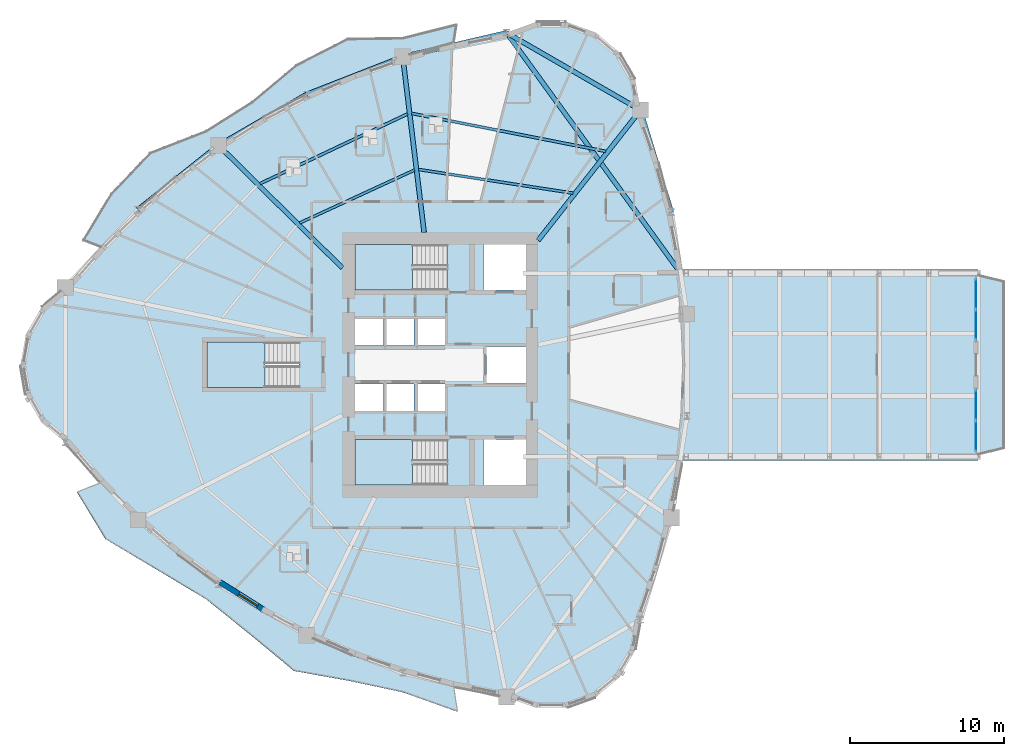
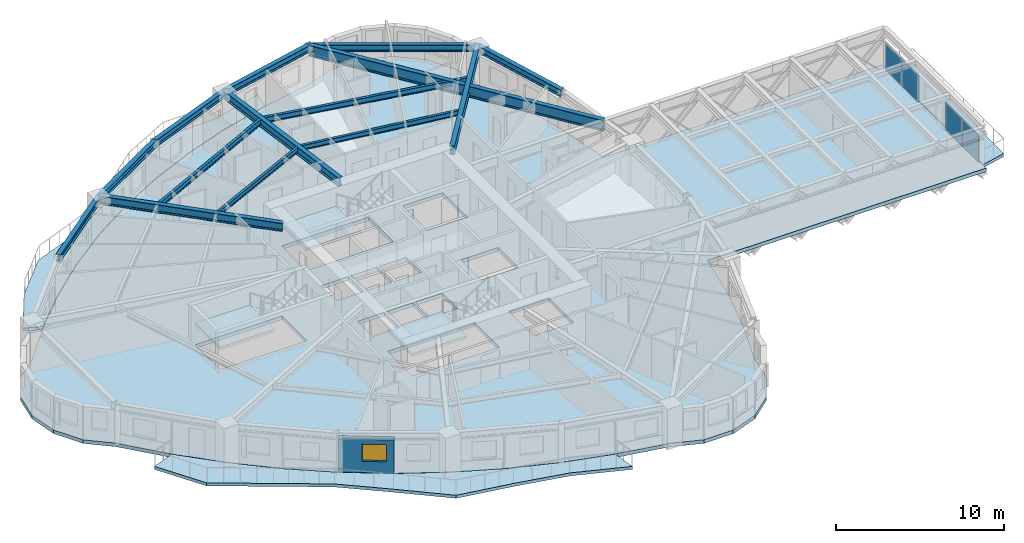
# One storey, part 3 of 16: 14 beams, 7 slabs, 4 plates, 1 wall, 1 window, 1 opening, 5 elements without a shape of their own.
"""IFC4 building model written with IfcOpenShell, lengths in metres."""

from ifc_helpers import new_model, si_unit, direction, frame, frame_2d, origin, origin_2d, place, context, subcontext, project, spatial, polyline, rectangle, i_section, outline, extrude, source, transform, mapped, material, layer, layer_set, material_profile, profile_set, type_object, element, fill, aggregate, save


model = new_model("IFC4")

# Units and contexts
model_context = context("Model", 3, precision=1e-05, world=origin(), true_north=direction((0.0, 1.0)))
body_context = subcontext(model_context, "Body", "Model", "MODEL_VIEW")
ifc_project = project(units=[si_unit("LENGTHUNIT", "METRE"), si_unit("AREAUNIT", "SQUARE_METRE"), si_unit("VOLUMEUNIT", "CUBIC_METRE"), si_unit("PLANEANGLEUNIT", "RADIAN"), si_unit("MASSUNIT", "GRAM", prefix="KILO")], contexts=[model_context])

# Site, building, storey
site_placement = place(None, origin())
site = spatial("IfcSite", under=ifc_project, at=site_placement, CompositionType="ELEMENT")
building_placement = place(site_placement, origin())
building = spatial("IfcBuilding", under=site, at=building_placement, Name="Qafzar Sky-Pleat Residences", CompositionType="ELEMENT")
storey_placement = place(building_placement, frame((0.0, 0.0, 33.39990234375)))
storey = spatial("IfcBuildingStorey", under=building, at=storey_placement, Name="L09", CompositionType="ELEMENT", Elevation=33.39990234375)

# Beams
ifc_material_1 = material(Name="Steel S355", Category="steel")
ifc_material_profile_1 = material_profile(ifc_material_1, i_section(OverallWidth=0.300048828125, OverallDepth=0.5, WebThickness=0.014404296875, FlangeThickness=0.028076171875, FilletRadius=0.027099609375, at=origin_2d()), Name="HEB 500")
ifc_profile_set_1 = profile_set([ifc_material_profile_1], Name="Steel S355")
beam_type_1 = type_object("IfcBeamType", Name="BM-SPAN-HEB500", PredefinedType="SPANDREL", material=ifc_profile_set_1)
shared_shape_1 = source(origin(), body_context, "Body", "SweptSolid", [
    extrude(i_section(OverallWidth=0.300048828125, OverallDepth=0.5, WebThickness=0.014404296875, FlangeThickness=0.028076171875, FilletRadius=0.027099609375, at=origin_2d()), origin(), (0.0, 0.0, 1.0), 10.0458984375),
])
beam_1_placement = place(storey_placement, frame((43.344970703125, 42.532470703125, 2.68798828125), z_axis=(-0.866024107753, 0.500002244785, 0.0), x_axis=(-0.500002244785, -0.866024107753, 0.0)))
element("IfcBeam", 1, at=beam_1_placement, inside=storey, type_object=beam_type_1, Name="L09 Perimeter Spandrel Beam 13", PredefinedType="SPANDREL", context=body_context, shape_type="MappedRepresentation", body=[
    mapped(shared_shape_1, transform((0.0, 0.0, 0.0), x_axis=(1.0, 0.0, 0.0), y_axis=(0.0, 1.0, 0.0), z_axis=(0.0, 0.0, 1.0), scale=1.0)),
])
shared_shape_2 = source(origin(), body_context, "Body", "SweptSolid", [
    extrude(i_section(OverallWidth=0.300048828125, OverallDepth=0.5, WebThickness=0.014404296875, FlangeThickness=0.028076171875, FilletRadius=0.027099609375, at=origin_2d()), origin(), (0.0, 0.0, 1.0), 6.689208984375),
])
beam_2_placement = place(storey_placement, frame((15.956298828125, 40.247314453125, 2.68798828125), z_axis=(-0.781064615855, -0.624450210872, 0.0), x_axis=(0.624450210872, -0.781064615855, 0.0)))
element("IfcBeam", 2, at=beam_2_placement, inside=storey, type_object=beam_type_1, Name="L09 Perimeter Spandrel Beam 17", PredefinedType="SPANDREL", context=body_context, shape_type="MappedRepresentation", body=[
    mapped(shared_shape_2, transform((0.0, 0.0, 0.0), x_axis=(1.0, 0.0, 0.0), y_axis=(0.0, 1.0, 0.0), z_axis=(0.0, 0.0, 1.0), scale=1.0)),
])
shared_shape_3 = source(origin(), body_context, "Body", "SweptSolid", [
    extrude(i_section(OverallWidth=0.300048828125, OverallDepth=0.5, WebThickness=0.014404296875, FlangeThickness=0.028076171875, FilletRadius=0.027099609375, at=origin_2d()), origin(), (0.0, 0.0, 1.0), 6.61279296875),
])
beam_3_placement = place(storey_placement, frame((21.68310546875, 43.553955078125, 2.68798828125), z_axis=(-0.866007902399, -0.500030312064, 0.0), x_axis=(0.500030312064, -0.866007902399, 0.0)))
element("IfcBeam", 3, at=beam_3_placement, inside=storey, type_object=beam_type_1, Name="L09 Perimeter Spandrel Beam 16", PredefinedType="SPANDREL", context=body_context, shape_type="MappedRepresentation", body=[
    mapped(shared_shape_3, transform((0.0, 0.0, 0.0), x_axis=(1.0, 0.0, 0.0), y_axis=(0.0, 1.0, 0.0), z_axis=(0.0, 0.0, 1.0), scale=1.0)),
])
shared_shape_4 = source(origin(), body_context, "Body", "SweptSolid", [
    extrude(i_section(OverallWidth=0.300048828125, OverallDepth=0.5, WebThickness=0.014404296875, FlangeThickness=0.028076171875, FilletRadius=0.027099609375, at=origin_2d()), origin(), (0.0, 0.0, 1.0), 6.68896484375),
])
beam_4_placement = place(storey_placement, frame((27.912841796875, 45.989990234375, 2.68798828125), z_axis=(-0.931328375536, -0.364180527927, 0.0), x_axis=(0.364180527927, -0.931328375536, 0.0)))
element("IfcBeam", 4, at=beam_4_placement, inside=storey, type_object=beam_type_1, Name="L09 Perimeter Spandrel Beam 15", PredefinedType="SPANDREL", context=body_context, shape_type="MappedRepresentation", body=[
    mapped(shared_shape_4, transform((0.0, 0.0, 0.0), x_axis=(1.0, 0.0, 0.0), y_axis=(0.0, 1.0, 0.0), z_axis=(0.0, 0.0, 1.0), scale=1.0)),
])
shared_shape_5 = source(origin(), body_context, "Body", "SweptSolid", [
    extrude(i_section(OverallWidth=0.300048828125, OverallDepth=0.5, WebThickness=0.014404296875, FlangeThickness=0.028076171875, FilletRadius=0.027099609375, at=origin_2d()), origin(), (0.0, 0.0, 1.0), 6.911865234375),
])
for number, where, z_axis, x_axis, name in (
    (5, (45.355224609375, 35.91943359375, 2.68798828125), (-0.290842539179, 0.956770932566, 0.0), (-0.956770932566, -0.290842539179, 0.0), "L09 Perimeter Spandrel Beam 12"),
    (6, (34.64501953125, 47.555419921875, 2.68798828125), (-0.97401418861, -0.226486998273, 0.0), (0.226486998273, -0.97401418861, 0.0), "L09 Perimeter Spandrel Beam 14"),
):
    element("IfcBeam", number, at=place(storey_placement, frame(where, z_axis=z_axis, x_axis=x_axis)), inside=storey, type_object=beam_type_1, Name=name, PredefinedType="SPANDREL", context=body_context, shape_type="MappedRepresentation", body=[
        mapped(shared_shape_5, transform((0.0, 0.0, 0.0), x_axis=(1.0, 0.0, 0.0), y_axis=(0.0, 1.0, 0.0), z_axis=(0.0, 0.0, 1.0), scale=1.0)),
    ])
ifc_material_profile_2 = material_profile(ifc_material_1, i_section(OverallWidth=0.300048828125, OverallDepth=0.60009765625, WebThickness=0.015380859375, FlangeThickness=0.030029296875, FilletRadius=0.027099609375, at=origin_2d()), Name="HEB 600")
ifc_profile_set_2 = profile_set([ifc_material_profile_2], Name="Steel S355")
beam_type_2 = type_object("IfcBeamType", Name="BM-GIRD-HEB600", PredefinedType="BEAM", material=ifc_profile_set_2)
shared_shape_6 = source(origin(), body_context, "Body", "SweptSolid", [
    extrude(i_section(OverallWidth=0.300048828125, OverallDepth=0.60009765625, WebThickness=0.015380859375, FlangeThickness=0.030029296875, FilletRadius=0.027099609375, at=origin_2d()), origin(), (0.0, 0.0, 1.0), 10.7529296875),
])
beam_5_placement = place(storey_placement, frame((43.344970703125, 42.532470703125, 2.63818359375), z_axis=(-0.617976963314, -0.786196205036, 0.0), x_axis=(0.786196205036, -0.617976963314, 0.0)))
element("IfcBeam", 7, at=beam_5_placement, inside=storey, type_object=beam_type_2, Name="L09 Radial Floor Girder 13", PredefinedType="BEAM", context=body_context, shape_type="MappedRepresentation", body=[
    mapped(shared_shape_6, transform((0.0, 0.0, 0.0), x_axis=(1.0, 0.0, 0.0), y_axis=(0.0, 1.0, 0.0), z_axis=(0.0, 0.0, 1.0), scale=1.0)),
])
shared_shape_7 = source(origin(), body_context, "Body", "SweptSolid", [
    extrude(i_section(OverallWidth=0.300048828125, OverallDepth=0.60009765625, WebThickness=0.015380859375, FlangeThickness=0.030029296875, FilletRadius=0.027099609375, at=origin_2d()), origin(), (0.0, 0.0, 1.0), 11.47412109375),
])
beam_6_placement = place(storey_placement, frame((27.912841796875, 45.989990234375, 2.63818359375), z_axis=(0.121025228115, -0.992649431652, 0.0), x_axis=(0.992649431652, 0.121025228115, 0.0)))
element("IfcBeam", 8, at=beam_6_placement, inside=storey, type_object=beam_type_2, Name="L09 Radial Floor Girder 15", PredefinedType="BEAM", context=body_context, shape_type="MappedRepresentation", body=[
    mapped(shared_shape_7, transform((0.0, 0.0, 0.0), x_axis=(1.0, 0.0, 0.0), y_axis=(0.0, 1.0, 0.0), z_axis=(0.0, 0.0, 1.0), scale=1.0)),
])
shared_shape_8 = source(origin(), body_context, "Body", "SweptSolid", [
    extrude(i_section(OverallWidth=0.300048828125, OverallDepth=0.60009765625, WebThickness=0.015380859375, FlangeThickness=0.030029296875, FilletRadius=0.027099609375, at=origin_2d()), origin(), (0.0, 0.0, 1.0), 11.31787109375),
])
beam_7_placement = place(storey_placement, frame((15.956298828125, 40.247314453125, 2.63818359375), z_axis=(0.710710748184, -0.703484351224, 0.0), x_axis=(0.703484351224, 0.710710748184, 0.0)))
element("IfcBeam", 9, at=beam_7_placement, inside=storey, type_object=beam_type_2, Name="L09 Radial Floor Girder 17", PredefinedType="BEAM", context=body_context, shape_type="MappedRepresentation", body=[
    mapped(shared_shape_8, transform((0.0, 0.0, 0.0), x_axis=(1.0, 0.0, 0.0), y_axis=(0.0, 1.0, 0.0), z_axis=(0.0, 0.0, 1.0), scale=1.0)),
])
ifc_material_profile_3 = material_profile(ifc_material_1, i_section(OverallWidth=0.179931640625, OverallDepth=0.39990234375, WebThickness=0.008544921875, FlangeThickness=0.013427734375, FilletRadius=0.02099609375, at=origin_2d()), Name="IPE 400")
ifc_profile_set_3 = profile_set([ifc_material_profile_3], Name="Steel S355")
beam_type_3 = type_object("IfcBeamType", Name="BM-JST-IPE400", PredefinedType="JOIST", material=ifc_profile_set_3)
shared_shape_9 = source(origin(), body_context, "Body", "SweptSolid", [
    extrude(i_section(OverallWidth=0.179931640625, OverallDepth=0.39990234375, WebThickness=0.008544921875, FlangeThickness=0.013427734375, FilletRadius=0.02099609375, at=origin_2d()), origin(), (0.0, 0.0, 1.0), 12.83544921875),
])
beam_8_placement = place(storey_placement, frame((41.086181640625, 39.85302734375, 2.738037109375), z_axis=(-0.98136997389, 0.192127495034, 0.0), x_axis=(-0.192127495034, -0.98136997389, 0.0)))
element("IfcBeam", 10, at=beam_8_placement, inside=storey, type_object=beam_type_3, Name="L09 Outer Secondary Floor Joist 7", PredefinedType="JOIST", context=body_context, shape_type="MappedRepresentation", body=[
    mapped(shared_shape_9, transform((0.0, 0.0, 0.0), x_axis=(1.0, 0.0, 0.0), y_axis=(0.0, 1.0, 0.0), z_axis=(0.0, 0.0, 1.0), scale=1.0)),
])
shared_shape_10 = source(origin(), body_context, "Body", "SweptSolid", [
    extrude(i_section(OverallWidth=0.179931640625, OverallDepth=0.39990234375, WebThickness=0.008544921875, FlangeThickness=0.013427734375, FilletRadius=0.02099609375, at=origin_2d()), origin(), (0.0, 0.0, 1.0), 10.599609375),
])
beam_9_placement = place(storey_placement, frame((28.235107421875, 42.287353515625, 2.738037109375), z_axis=(-0.904072428316, -0.427379274602, 0.0), x_axis=(0.427379274602, -0.904072428316, 0.0)))
element("IfcBeam", 11, at=beam_9_placement, inside=storey, type_object=beam_type_3, Name="L09 Outer Secondary Floor Joist 8", PredefinedType="JOIST", context=body_context, shape_type="MappedRepresentation", body=[
    mapped(shared_shape_10, transform((0.0, 0.0, 0.0), x_axis=(1.0, 0.0, 0.0), y_axis=(0.0, 1.0, 0.0), z_axis=(0.0, 0.0, 1.0), scale=1.0)),
])
ifc_material_profile_4 = material_profile(ifc_material_1, i_section(OverallWidth=0.169921875, OverallDepth=0.360107421875, WebThickness=0.008056640625, FlangeThickness=0.0126953125, FilletRadius=0.01806640625, at=origin_2d()), Name="IPE 360")
ifc_profile_set_4 = profile_set([ifc_material_profile_4], Name="Steel S355")
beam_type_4 = type_object("IfcBeamType", Name="BM-JST-IPE360", PredefinedType="JOIST", material=ifc_profile_set_4)
shared_shape_11 = source(origin(), body_context, "Body", "SweptSolid", [
    extrude(i_section(OverallWidth=0.169921875, OverallDepth=0.360107421875, WebThickness=0.008056640625, FlangeThickness=0.0126953125, FilletRadius=0.01806640625, at=origin_2d()), origin(), (0.0, 0.0, 1.0), 10.140869140625),
])
beam_10_placement = place(storey_placement, frame((38.958740234375, 37.142333984375, 2.758056640625), z_axis=(-0.988438399373, 0.15162298851, 0.0), x_axis=(-0.15162298851, -0.988438399373, 0.0)))
element("IfcBeam", 12, at=beam_10_placement, inside=storey, type_object=beam_type_4, Name="L09 Inner Secondary Floor Joist 7", PredefinedType="JOIST", context=body_context, shape_type="MappedRepresentation", body=[
    mapped(shared_shape_11, transform((0.0, 0.0, 0.0), x_axis=(1.0, 0.0, 0.0), y_axis=(0.0, 1.0, 0.0), z_axis=(0.0, 0.0, 1.0), scale=1.0)),
])
shared_shape_12 = source(origin(), body_context, "Body", "SweptSolid", [
    extrude(i_section(OverallWidth=0.169921875, OverallDepth=0.360107421875, WebThickness=0.008056640625, FlangeThickness=0.0126953125, FilletRadius=0.01806640625, at=origin_2d()), origin(), (0.0, 0.0, 1.0), 8.2060546875),
])
beam_11_placement = place(storey_placement, frame((28.678955078125, 38.643798828125, 2.758056640625), z_axis=(-0.908140422144, -0.418665706343, 0.0), x_axis=(0.418665706343, -0.908140422144, 0.0)))
element("IfcBeam", 13, at=beam_11_placement, inside=storey, type_object=beam_type_4, Name="L09 Inner Secondary Floor Joist 8", PredefinedType="JOIST", context=body_context, shape_type="MappedRepresentation", body=[
    mapped(shared_shape_12, transform((0.0, 0.0, 0.0), x_axis=(1.0, 0.0, 0.0), y_axis=(0.0, 1.0, 0.0), z_axis=(0.0, 0.0, 1.0), scale=1.0)),
])
ifc_material_2 = material(Name="Steel S460", Category="steel")
ifc_material_profile_5 = material_profile(ifc_material_2, i_section(OverallWidth=0.300048828125, OverallDepth=0.800048828125, WebThickness=0.017578125, FlangeThickness=0.032958984375, FilletRadius=0.030029296875, at=origin_2d()), Name="HEB 800")
ifc_profile_set_5 = profile_set([ifc_material_profile_5], Name="Steel S460")
beam_type_5 = type_object("IfcBeamType", Name="BM-CHORD-HEB800", PredefinedType="BEAM", material=ifc_profile_set_5)
shared_shape_13 = source(origin(), body_context, "Body", "SweptSolid", [
    extrude(i_section(OverallWidth=0.300048828125, OverallDepth=0.800048828125, WebThickness=0.017578125, FlangeThickness=0.032958984375, FilletRadius=0.030029296875, at=origin_2d()), origin(), (0.0, 0.0, 1.0), 19.27001953125),
])
beam_12_placement = place(storey_placement, frame((34.64501953125, 47.555419921875, 2.5380859375), z_axis=(0.586660264458, -0.809833152017, 0.0), x_axis=(0.809833152017, 0.586660264458, 0.0)))
element("IfcBeam", 14, at=beam_12_placement, inside=storey, type_object=beam_type_5, Name="L09 SB-1 Wing-Belt Top Chord L", PredefinedType="BEAM", context=body_context, shape_type="MappedRepresentation", body=[
    mapped(shared_shape_13, transform((0.0, 0.0, 0.0), x_axis=(1.0, 0.0, 0.0), y_axis=(0.0, 1.0, 0.0), z_axis=(0.0, 0.0, 1.0), scale=1.0)),
])

# Slabs
ifc_material_3 = material(Name="Concrete C40/50", Category="concrete")
ifc_layer_1 = layer(ifc_material_3, 0.219970703125)
ifc_layer_set_1 = layer_set([ifc_layer_1], Name="Concrete C40/50")
slab_type_1 = type_object("IfcSlabType", Name="SLAB-BAL-220", PredefinedType="USERDEFINED", material=ifc_layer_set_1)
slab_1_placement = place(storey_placement, frame((0.0, 0.0, -0.219970703125)))
element("IfcSlab", 15, at=slab_1_placement, inside=storey, type_object=slab_type_1, Name="L09 Pleated Stone Balcony 1", ObjectType="BALCONY", PredefinedType="USERDEFINED", context=body_context, shape_type="SweptSolid", body=[
    extrude(outline(polyline([(27.91259765625, 46.001953125), (24.733154296875, 44.892578125), (21.67919921875, 43.565185546875), (18.7509765625, 42.02001953125), (15.948486328125, 40.256591796875), (13.27197265625, 38.275390625), (10.721435546875, 36.076416015625), (8.296875, 33.659912109375), (7.14306640625, 34.1083984375), (8.9609375, 37.10302734375), (11.4814453125, 39.767578125), (15.149169921875, 41.201904296875), (18.1318359375, 43.092041015625), (20.989013671875, 45.48291015625), (24.3359375, 47.189208984375), (27.9072265625, 47.239990234375), (31.406494140625, 48.11669921875), (31.218017578125, 46.893310546875), (27.91259765625, 46.001953125)])), origin(), (0.0, 0.0, 1.0), 0.219970703125),
])
slab_2_placement = place(storey_placement, frame((0.0, 0.0, -0.219970703125)))
element("IfcSlab", 16, at=slab_2_placement, inside=storey, type_object=slab_type_1, Name="L09 Pleated Stone Balcony 2", ObjectType="BALCONY", PredefinedType="USERDEFINED", context=body_context, shape_type="SweptSolid", body=[
    extrude(outline(polyline([(10.721435546875, 15.923583984375), (13.27197265625, 13.724609375), (15.948486328125, 11.743408203125), (18.7509765625, 9.97998046875), (21.67919921875, 8.434814453125), (24.733154296875, 7.107421875), (27.91259765625, 5.998046875), (31.218017578125, 5.106689453125), (31.46728515625, 3.48779296875), (27.9072265625, 4.760009765625), (24.4541015625, 5.493408203125), (20.853515625, 6.140869140625), (17.931884765625, 8.5615234375), (15.149169921875, 10.798095703125), (12.013671875, 12.67578125), (8.615478515625, 14.6953125), (6.770263671875, 17.74658203125), (8.296875, 18.340087890625), (10.721435546875, 15.923583984375)])), origin(), (0.0, 0.0, 1.0), 0.219970703125),
])
ifc_layer_2 = layer(ifc_material_3, 0.22998046875)
ifc_layer_set_2 = layer_set([ifc_layer_2], Name="Concrete C40/50")
slab_type_2 = type_object("IfcSlabType", Name="SLAB-BAL-230", PredefinedType="USERDEFINED", material=ifc_layer_set_2)
slab_3_placement = place(storey_placement, frame((0.0, 0.0, -0.22998046875)))
element("IfcSlab", 17, at=slab_3_placement, inside=storey, type_object=slab_type_2, Name="L09 SB-1 Tip Observation Balcony", ObjectType="BALCONY", PredefinedType="USERDEFINED", context=body_context, shape_type="SweptSolid", body=[
    extrude(outline(polyline([(65.26953125, 20.199951171875), (66.904541015625, 20.60009765625), (66.904541015625, 31.39990234375), (65.26953125, 31.800048828125), (65.26953125, 20.199951171875)])), origin(), (0.0, 0.0, 1.0), 0.22998046875),
])

# Stair, slab
stair_type = type_object("IfcStairType", Name="STAIR-H320", PredefinedType="HALF_TURN_STAIR", material=ifc_material_3)
stair_1_placement = place(storey_placement, origin())
stair_1 = element("IfcStair", 18, at=stair_1_placement, inside=storey, type_object=stair_type, Name="L09 Protected Exit Stair ST1", PredefinedType="HALF_TURN_STAIR")
ifc_layer_3 = layer(ifc_material_3, 0.199951171875)
ifc_layer_set_3 = layer_set([ifc_layer_3], Name="Concrete C40/50")
slab_type_3 = type_object("IfcSlabType", Name="SLAB-LANDING-200", PredefinedType="LANDING", material=ifc_layer_set_3)
slab_4_placement = place(storey_placement, frame((0.0, 0.0, 1.400146484375)))
slab_4 = element("IfcSlab", 19, at=slab_4_placement, type_object=slab_type_3, Name="ST1 landing 1", PredefinedType="LANDING", context=body_context, shape_type="SweptSolid", body=[
    extrude(outline(polyline([(28.56005859375, 21.14990234375), (24.800048828125, 21.14990234375), (24.800048828125, 18.199951171875), (28.56005859375, 18.199951171875), (28.56005859375, 21.14990234375)])), origin(), (0.0, 0.0, 1.0), 0.199951171875),
])
aggregate(stair_1, [slab_4])

stair_2_placement = place(storey_placement, origin())
stair_2 = element("IfcStair", 20, at=stair_2_placement, inside=storey, type_object=stair_type, Name="L09 Protected Exit Stair ST2", PredefinedType="HALF_TURN_STAIR")
slab_5_placement = place(storey_placement, frame((0.0, 0.0, 1.400146484375)))
slab_5 = element("IfcSlab", 21, at=slab_5_placement, type_object=slab_type_3, Name="ST2 landing 1", PredefinedType="LANDING", context=body_context, shape_type="SweptSolid", body=[
    extrude(outline(polyline([(28.56005859375, 33.800048828125), (24.800048828125, 33.800048828125), (24.800048828125, 30.85009765625), (28.56005859375, 30.85009765625), (28.56005859375, 33.800048828125)])), origin(), (0.0, 0.0, 1.0), 0.199951171875),
])
aggregate(stair_2, [slab_5])

stair_3_placement = place(storey_placement, origin())
stair_3 = element("IfcStair", 22, at=stair_3_placement, inside=storey, type_object=stair_type, Name="L09 Protected Exit Stair ST3", PredefinedType="HALF_TURN_STAIR")
slab_6_placement = place(storey_placement, frame((0.0, 0.0, 1.400146484375)))
slab_6 = element("IfcSlab", 23, at=slab_6_placement, type_object=slab_type_3, Name="ST3 landing 1", PredefinedType="LANDING", context=body_context, shape_type="SweptSolid", body=[
    extrude(outline(polyline([(18.9599609375, 27.47509765625), (15.199951171875, 27.47509765625), (15.199951171875, 24.52490234375), (18.9599609375, 24.52490234375), (18.9599609375, 27.47509765625)])), origin(), (0.0, 0.0, 1.0), 0.199951171875),
])
aggregate(stair_3, [slab_6])

# Slab
ifc_layer_4 = layer(ifc_material_3, 0.264892578125)
ifc_layer_set_4 = layer_set([ifc_layer_4], Name="Concrete C40/50")
slab_type_4 = type_object("IfcSlabType", Name="SLAB-SB-265", PredefinedType="FLOOR", material=ifc_layer_set_4)
slab_7_placement = place(storey_placement, frame((0.0, 0.0, -0.264892578125)))
element("IfcSlab", 24, at=slab_7_placement, inside=storey, type_object=slab_type_4, Name="L09 Structural Floor Slab", PredefinedType="FLOOR", context=body_context, shape_type="SweptSolid", body=[
    extrude(outline(polyline([(45.983642578125, 19.386962890625), (45.355224609375, 16.08056640625), (44.475830078125, 12.774169921875), (43.344970703125, 9.467529296875), (42.9951171875, 7.48388671875), (41.988037109375, 5.739501953125), (40.445068359375, 4.444580078125), (38.55224609375, 3.755615234375), (36.537841796875, 3.755615234375), (34.64501953125, 4.444580078125), (31.216064453125, 5.11865234375), (27.912841796875, 6.010009765625), (24.735107421875, 7.119384765625), (21.68310546875, 8.446044921875), (18.7568359375, 9.990478515625), (15.956298828125, 11.752685546875), (13.28125, 13.732421875), (10.731689453125, 15.9296875), (8.30810546875, 18.344482421875), (6.010009765625, 20.97705078125), (4.466796875, 22.271728515625), (3.459716796875, 24.016357421875), (3.110107421875, 26.0), (3.459716796875, 27.983642578125), (4.466796875, 29.728271484375), (6.010009765625, 31.02294921875), (8.30810546875, 33.655517578125), (10.731689453125, 36.0703125), (13.28125, 38.267578125), (15.956298828125, 40.247314453125), (18.7568359375, 42.009521484375), (21.68310546875, 43.553955078125), (24.735107421875, 44.880615234375), (27.912841796875, 45.989990234375), (31.216064453125, 46.88134765625), (34.64501953125, 47.555419921875), (36.537841796875, 48.244384765625), (38.55224609375, 48.244384765625), (40.445068359375, 47.555419921875), (41.988037109375, 46.260498046875), (42.9951171875, 44.51611328125), (43.344970703125, 42.532470703125), (44.475830078125, 39.225830078125), (45.355224609375, 35.91943359375), (45.983642578125, 32.613037109375), (46.03076171875, 32.199951171875), (65.25439453125, 32.199951171875), (65.25439453125, 19.800048828125), (46.03076171875, 19.800048828125), (45.983642578125, 19.386962890625)]), holes=[polyline([(30.797119140625, 21.14990234375), (24.800048828125, 21.14990234375), (24.800048828125, 18.199951171875), (30.797119140625, 18.199951171875), (30.797119140625, 21.14990234375)]), polyline([(30.797119140625, 33.800048828125), (24.800048828125, 33.800048828125), (24.800048828125, 30.85009765625), (30.797119140625, 30.85009765625), (30.797119140625, 33.800048828125)]), polyline([(21.197021484375, 27.47509765625), (15.199951171875, 27.47509765625), (15.199951171875, 24.52490234375), (21.197021484375, 24.52490234375), (21.197021484375, 27.47509765625)]), polyline([(24.800048828125, 22.949951171875), (26.64990234375, 22.949951171875), (26.64990234375, 24.75), (24.800048828125, 24.75), (24.800048828125, 22.949951171875)]), polyline([(26.800048828125, 22.949951171875), (28.64990234375, 22.949951171875), (28.64990234375, 24.75), (26.800048828125, 24.75), (26.800048828125, 22.949951171875)]), polyline([(28.800048828125, 22.949951171875), (30.64990234375, 22.949951171875), (30.64990234375, 24.75), (28.800048828125, 24.75), (28.800048828125, 22.949951171875)]), polyline([(24.800048828125, 27.25), (26.64990234375, 27.25), (26.64990234375, 29.050048828125), (24.800048828125, 29.050048828125), (24.800048828125, 27.25)]), polyline([(26.800048828125, 27.25), (28.64990234375, 27.25), (28.64990234375, 29.050048828125), (26.800048828125, 29.050048828125), (26.800048828125, 27.25)]), polyline([(28.800048828125, 27.25), (30.64990234375, 27.25), (30.64990234375, 29.050048828125), (28.800048828125, 29.050048828125), (28.800048828125, 27.25)]), polyline([(33.14990234375, 18.199951171875), (35.89990234375, 18.199951171875), (35.89990234375, 21.14990234375), (33.14990234375, 21.14990234375), (33.14990234375, 18.199951171875)]), polyline([(33.14990234375, 30.85009765625), (35.89990234375, 30.85009765625), (35.89990234375, 33.800048828125), (33.14990234375, 33.800048828125), (33.14990234375, 30.85009765625)]), polyline([(33.35009765625, 24.800048828125), (35.89990234375, 24.800048828125), (35.89990234375, 27.199951171875), (33.35009765625, 27.199951171875), (33.35009765625, 24.800048828125)])]), origin(), (0.0, 0.0, 1.0), 0.264892578125),
])

# Curtain wall, plates
ifc_material_4 = material(Name="Anodised bronze aluminium framing", Category="aluminium")
ifc_layer_5 = layer(ifc_material_4, 0.239990234375)
ifc_layer_set_5 = layer_set([ifc_layer_5], Name="Anodised bronze aluminium framing")
curtain_wall_type_1 = type_object("IfcCurtainWallType", Name="CW-SYS-02", PredefinedType="NOTDEFINED", material=ifc_layer_set_5)
curtain_wall_1_placement = place(storey_placement, origin())
curtain_wall_1 = element("IfcCurtainWall", 25, at=curtain_wall_1_placement, inside=storey, type_object=curtain_wall_type_1, Name="L09 CW-02 Curtain Wall CW-L09-SB-1-PROW-L", PredefinedType="NOTDEFINED")
ifc_material_5 = material(Name="Solar-control double low-E glazing", Category="glass")
ifc_layer_6 = layer(ifc_material_5, 0.031982421875)
ifc_layer_set_6 = layer_set([ifc_layer_6], Name="Solar-control double low-E glazing")
plate_type_1 = type_object("IfcPlateType", Name="CWP-02", PredefinedType="CURTAIN_PANEL", material=ifc_layer_set_6)
shared_shape_14 = source(origin(), body_context, "Body", "SweptSolid", [
    extrude(rectangle(XDim=1.927490234375, YDim=0.031982421875, at=origin_2d()), origin(), (0.0, 0.0, 1.0), 1.969970703125),
])
plate_1_placement = place(storey_placement, frame((65.1044921875, 30.601318359375, 0.0751953125), z_axis=(0.0, 0.0, 1.0), x_axis=(0.0, -1.0, 0.0)))
plate_1 = element("IfcPlate", 26, at=plate_1_placement, type_object=plate_type_1, Name="CW-02 panel 1.1", PredefinedType="CURTAIN_PANEL", context=body_context, shape_type="MappedRepresentation", body=[
    mapped(shared_shape_14, transform((0.0, 0.0, 0.0), x_axis=(1.0, 0.0, 0.0), y_axis=(0.0, 1.0, 0.0), z_axis=(0.0, 0.0, 1.0), scale=1.0)),
])
plate_2_placement = place(storey_placement, frame((65.1044921875, 28.5986328125, 0.0751953125), z_axis=(0.0, 0.0, 1.0), x_axis=(0.0, -1.0, 0.0)))
plate_2 = element("IfcPlate", 27, at=plate_2_placement, type_object=plate_type_1, Name="CW-02 panel 2.1", PredefinedType="CURTAIN_PANEL", context=body_context, shape_type="MappedRepresentation", body=[
    mapped(shared_shape_14, transform((0.0, 0.0, 0.0), x_axis=(1.0, 0.0, 0.0), y_axis=(0.0, 1.0, 0.0), z_axis=(0.0, 0.0, 1.0), scale=1.0)),
])
aggregate(curtain_wall_1, [plate_1, plate_2])

ifc_layer_7 = layer(ifc_material_4, 0.219970703125)
ifc_layer_set_7 = layer_set([ifc_layer_7], Name="Anodised bronze aluminium framing")
curtain_wall_type_2 = type_object("IfcCurtainWallType", Name="CW-SYS-03", PredefinedType="NOTDEFINED", material=ifc_layer_set_7)
curtain_wall_2_placement = place(storey_placement, origin())
curtain_wall_2 = element("IfcCurtainWall", 28, at=curtain_wall_2_placement, inside=storey, type_object=curtain_wall_type_2, Name="L09 CW-03 Curtain Wall CW-L09-SB-1-PROW-R", PredefinedType="NOTDEFINED")
ifc_layer_8 = layer(ifc_material_5, 0.030029296875)
ifc_layer_set_8 = layer_set([ifc_layer_8], Name="Solar-control double low-E glazing")
plate_type_2 = type_object("IfcPlateType", Name="CWP-03", PredefinedType="CURTAIN_PANEL", material=ifc_layer_set_8)
shared_shape_15 = source(origin(), body_context, "Body", "SweptSolid", [
    extrude(rectangle(XDim=1.93505859375, YDim=0.030029296875, at=origin_2d()), origin(), (0.0, 0.0, 1.0), 1.97998046875),
])
plate_3_placement = place(storey_placement, frame((65.1044921875, 23.402587890625, 0.070068359375), z_axis=(0.0, 0.0, 1.0), x_axis=(0.0, -1.0, 0.0)))
plate_3 = element("IfcPlate", 29, at=plate_3_placement, type_object=plate_type_2, Name="CW-03 panel 1.1", PredefinedType="CURTAIN_PANEL", context=body_context, shape_type="MappedRepresentation", body=[
    mapped(shared_shape_15, transform((0.0, 0.0, 0.0), x_axis=(1.0, 0.0, 0.0), y_axis=(0.0, 1.0, 0.0), z_axis=(0.0, 0.0, 1.0), scale=1.0)),
])
plate_4_placement = place(storey_placement, frame((65.1044921875, 21.3974609375, 0.070068359375), z_axis=(0.0, 0.0, 1.0), x_axis=(0.0, -1.0, 0.0)))
plate_4 = element("IfcPlate", 30, at=plate_4_placement, type_object=plate_type_2, Name="CW-03 panel 2.1", PredefinedType="CURTAIN_PANEL", context=body_context, shape_type="MappedRepresentation", body=[
    mapped(shared_shape_15, transform((0.0, 0.0, 0.0), x_axis=(1.0, 0.0, 0.0), y_axis=(0.0, 1.0, 0.0), z_axis=(0.0, 0.0, 1.0), scale=1.0)),
])
aggregate(curtain_wall_2, [plate_3, plate_4])

# Wall, opening, window
ifc_material_6 = material(Name="Precast concrete C40/50 with honed Riyadh limestone", Category="concrete")
ifc_layer_9 = layer(ifc_material_6, 0.35009765625)
ifc_layer_set_9 = layer_set([ifc_layer_9], Name="Precast concrete C40/50 with honed Riyadh limestone")
wall_type = type_object("IfcWallType", Name="WALL-EXT-350", PredefinedType="SOLIDWALL", material=ifc_layer_set_9)
wall_placement = place(storey_placement, frame((16.06640625, 11.89013671875, 0.0), z_axis=(0.0, 0.0, 1.0), x_axis=(0.846403135518, -0.532542704565, 0.0)))
wall = element("IfcWall", 31, at=wall_placement, inside=storey, type_object=wall_type, Name="L09 Limestone Facade Wall 11", PredefinedType="SOLIDWALL", context=body_context, shape_type="SweptSolid", body=[
    extrude(rectangle(XDim=3.326904296875, YDim=0.35009765625, at=frame_2d((1.66357421875, 0.0))), origin(), (0.0, 0.0, 1.0), 2.420166015625),
])
opening_placement = place(wall_placement, frame((1.423583984375, 0.0, 0.820068359375)))
opening = element("IfcOpeningElement", 32, at=opening_placement, cuts=wall, Name="Opening WN-15", PredefinedType="OPENING", context=body_context, shape_type="SweptSolid", body=[
    extrude(rectangle(XDim=1.449951171875, YDim=1.25, at=frame_2d((0.72509765625, 0.625))), frame((0.0, 0.18505859375, 0.0), z_axis=(0.0, -1.0, 0.0), x_axis=(1.0, 0.0, 0.0)), (0.0, 0.0, 1.0), 0.3701171875),
])
ifc_material_7 = material(Name="Solar-control low-E glass in bronze aluminium frame", Category="glass")
window_type = type_object("IfcWindowType", Name="WIN-15", PartitioningType="SINGLE_PANEL", PredefinedType="WINDOW", material=ifc_material_7)
shared_shape_16 = source(origin(), body_context, "Body", "SweptSolid", [
    extrude(rectangle(XDim=1.449951171875, YDim=1.25, at=frame_2d((0.72509765625, 0.625))), frame((0.0, 0.030029296875, 0.0), z_axis=(0.0, -1.0, 0.0), x_axis=(1.0, 0.0, 0.0)), (0.0, 0.0, 1.0), 0.06005859375),
])
window_placement = place(opening_placement, origin())
window = element("IfcWindow", 33, at=window_placement, inside=storey, type_object=window_type, Name="L09 Punched Facade Window 11-2", OverallHeight=1.25, OverallWidth=1.449951171875, PartitioningType="SINGLE_PANEL", PredefinedType="WINDOW", context=body_context, shape_type="MappedRepresentation", body=[
    mapped(shared_shape_16, transform((0.0, 0.0, 0.0), x_axis=(1.0, 0.0, 0.0), y_axis=(0.0, 1.0, 0.0), z_axis=(0.0, 0.0, 1.0), scale=1.0)),
])
fill(opening, window)

save(model, "model.ifc")
